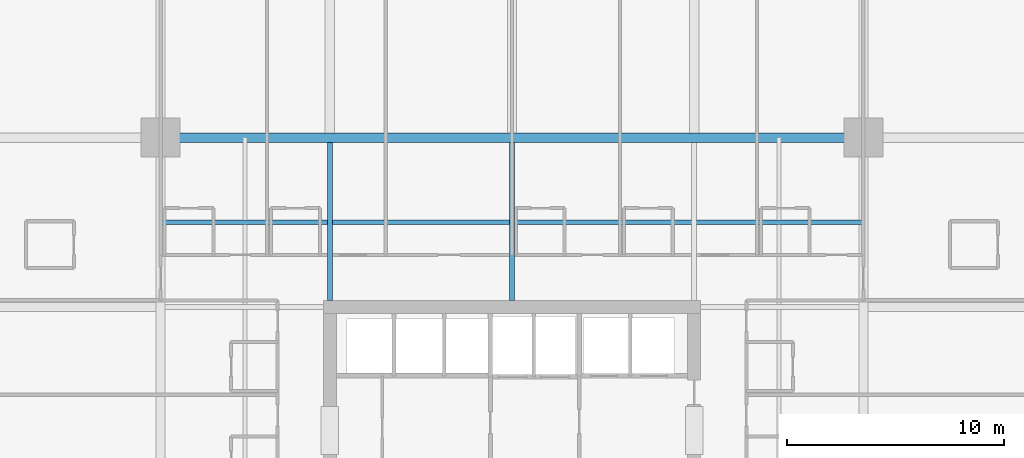
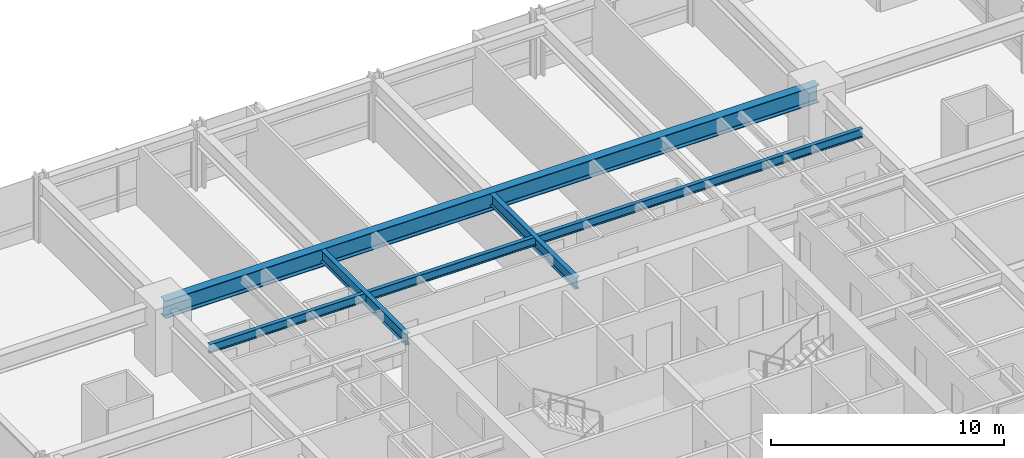
# One storey, part 20 of 39: 4 beams.
"""IFC4 building model written with IfcOpenShell, lengths in metres."""

import ifcopenshell
import ifcopenshell.guid

model = None  # the IFC model being written
_history = None  # IfcOwnerHistory: only IFC2X3 demands one
_inside = {}  # id of a spatial element -> (the spatial element, [elements in it])
_under = {}  # id of a project, library or spatial element -> (it, [spatial elements below it])
_declared = {}  # id of a project -> (the project, [libraries it declares])
_typed = {}  # id of a type object -> (the type object, [elements of that type])
_made_of = {}  # id of a material, layer set ... -> (it, [elements and type objects made of it])


def new_model(schema):
    """Start an empty IFC model of exactly this schema.

    Asked for "IFC4X3", IfcOpenShell would pick the latest addendum, in which some entities
    have other attributes; the version numbers below select the first issue.
    IFC2X3 requires an IfcOwnerHistory on every rooted entity: one is made here for all.
    """
    global model, _history
    if schema == "IFC4X3":
        model = ifcopenshell.file(schema_version=(4, 3, 0, 0))
    else:
        model = ifcopenshell.file(schema=schema)
    _inside.clear()
    _under.clear()
    _declared.clear()
    _typed.clear()
    _made_of.clear()
    _history = None
    if model.schema == "IFC2X3":
        org = make("IfcOrganization", Name="unknown")
        user = make(
            "IfcPersonAndOrganization",
            ThePerson=make("IfcPerson", FamilyName="unknown"),
            TheOrganization=org,
        )
        app = make(
            "IfcApplication",
            ApplicationDeveloper=org,
            Version="unknown",
            ApplicationFullName="unknown",
            ApplicationIdentifier="unknown",
        )
        _history = make(
            "IfcOwnerHistory",
            OwningUser=user,
            OwningApplication=app,
            ChangeAction="ADDED",
            CreationDate=0,
        )
    return model


def make(cls, **values):
    """One entity of the class cls with the attributes given. An attribute that is None is left unset."""
    return model.create_entity(
        cls, **{name: value for name, value in values.items() if value is not None}
    )


def rooted(cls, **values):
    """An entity with a GlobalId (a new one), such as an element, a storey or a relation."""
    return make(cls, GlobalId=ifcopenshell.guid.new(), OwnerHistory=_history, **values)


def si_unit(unit_type, name, prefix=None):
    """IfcSIUnit, for example si_unit("LENGTHUNIT", "METRE", prefix="MILLI")."""
    return make("IfcSIUnit", UnitType=unit_type, Prefix=prefix, Name=name)


def assignment(units):
    """IfcUnitAssignment: the units of a project."""
    return None if units is None else make("IfcUnitAssignment", Units=units)


def point(xyz):
    """IfcCartesianPoint."""
    return None if xyz is None else make("IfcCartesianPoint", Coordinates=xyz)


def direction(xyz):
    """IfcDirection."""
    return None if xyz is None else make("IfcDirection", DirectionRatios=xyz)


def frame(location, z_axis=None, x_axis=None):
    """IfcAxis2Placement3D, a coordinate frame: its origin and axes. An axis left out is left unset."""
    return make(
        "IfcAxis2Placement3D",
        Location=point(location),
        Axis=direction(z_axis),
        RefDirection=direction(x_axis),
    )


def frame_2d(location, x_axis=None):
    """IfcAxis2Placement2D, a coordinate frame in the plane: its origin and x axis."""
    return make(
        "IfcAxis2Placement2D", Location=point(location), RefDirection=direction(x_axis)
    )


def origin():
    """The frame at (0, 0, 0) with its axes left unset."""
    return frame((0.0, 0.0, 0.0))


def origin_2d():
    """The frame at (0, 0) in the plane with its x axis left unset."""
    return frame_2d((0.0, 0.0))


def place(relative_to, where):
    """IfcLocalPlacement: puts the frame where relative to a parent placement (None: the world)."""
    return make(
        "IfcLocalPlacement", PlacementRelTo=relative_to, RelativePlacement=where
    )


def context(
    kind, dimensions, precision=None, world=None, true_north=None, identifier=None
):
    """IfcGeometricRepresentationContext, for example the 3D "Model" context."""
    return make(
        "IfcGeometricRepresentationContext",
        ContextIdentifier=identifier,
        ContextType=kind,
        CoordinateSpaceDimension=dimensions,
        Precision=precision,
        WorldCoordinateSystem=world,
        TrueNorth=true_north,
    )


def subcontext(parent, identifier, kind, view, scale=None):
    """IfcGeometricRepresentationSubContext, for example "Body" below "Model"."""
    return make(
        "IfcGeometricRepresentationSubContext",
        ContextIdentifier=identifier,
        ContextType=kind,
        ParentContext=parent,
        TargetScale=scale,
        TargetView=view,
    )


def project(units=None, contexts=None):
    """IfcProject with its units and contexts."""
    return rooted(
        "IfcProject",
        Name="project",
        RepresentationContexts=contexts,
        UnitsInContext=assignment(units),
    )


def spatial(cls, under=None, at=None, **own):
    """A site, building, storey or space (cls), placed at a placement, below another one or the project."""
    s = rooted(cls, ObjectPlacement=at, **own)
    if under is not None:
        _under.setdefault(under.id(), (under, []))[1].append(s)
    return s


def profile(cls, at=None, kind="AREA", **sizes):
    """A parametric profile (cls). Its sizes go by their IFC names, for example OverallWidth=200.0."""
    return make(cls, ProfileType=kind, Position=at, **sizes)


def i_section(**sizes):
    """IfcIShapeProfileDef."""
    return profile("IfcIShapeProfileDef", **sizes)


def extrude(swept, where, along, depth):
    """IfcExtrudedAreaSolid: the profile swept, set in the frame where, extruded along a direction by depth."""
    return make(
        "IfcExtrudedAreaSolid",
        SweptArea=swept,
        Position=where,
        ExtrudedDirection=direction(along),
        Depth=depth,
    )


def shape(context_of_items, identifier, shape_type, items):
    """IfcShapeRepresentation: the items that make up one representation, for example the "Body"."""
    return make(
        "IfcShapeRepresentation",
        ContextOfItems=context_of_items,
        RepresentationIdentifier=identifier,
        RepresentationType=shape_type,
        Items=items,
    )


def material(Name=None, Category=None):
    """IfcMaterial."""
    return make("IfcMaterial", Name=Name, Category=Category)


def material_profile(
    of_material, cross_section, Name=None, Category=None, Priority=None
):
    """IfcMaterialProfile: a cross section and its material."""
    return make(
        "IfcMaterialProfile",
        Name=Name,
        Material=of_material,
        Profile=cross_section,
        Priority=Priority,
        Category=Category,
    )


def profile_set(profiles, Name=None, composite=None):
    """IfcMaterialProfileSet."""
    return make(
        "IfcMaterialProfileSet",
        Name=Name,
        MaterialProfiles=profiles,
        CompositeProfile=composite,
    )


def made_of(thing, what):
    """Note that an element or type object is made of a material, layer set ...; save() writes the relation."""
    if what is not None:
        _made_of.setdefault(what.id(), (what, []))[1].append(thing)
    return thing


def type_object(cls, material=None, **own):
    """A type object (cls), such as IfcWallType, which elements share."""
    return made_of(rooted(cls, **own), material)


def element(
    cls,
    number,
    at=None,
    inside=None,
    cuts=None,
    type_object=None,
    material=None,
    context=None,
    identifier="Body",
    shape_type=None,
    held_by="IfcProductDefinitionShape",
    body=None,
    shapes=None,
    **own,
):
    """One element of the class cls, such as IfcWall. Its Tag is "e" and its number.

    at: its placement. inside: the storey or other place that contains it. cuts: it is an
    opening in that element (IfcRelVoidsElement). A single representation is given by context,
    identifier, shape_type and body (its items); several are given by shapes. held_by: the class
    of the entity that holds the representations. save() writes the other relations.
    """
    e = rooted(cls, Tag="e%d" % number, ObjectPlacement=at, **own)
    if body is not None:
        shapes = [shape(context, identifier, shape_type, body)]
    if shapes is not None:
        e.Representation = make(held_by, Representations=shapes)
    if inside is not None:
        _inside.setdefault(inside.id(), (inside, []))[1].append(e)
    if cuts is not None:
        rooted(
            "IfcRelVoidsElement", RelatingBuildingElement=cuts, RelatedOpeningElement=e
        )
    if type_object is not None:
        _typed.setdefault(type_object.id(), (type_object, []))[1].append(e)
    return made_of(e, material)


def aggregate(whole, parts):
    """IfcRelAggregates: a whole, such as a stair, and the parts it consists of."""
    return rooted("IfcRelAggregates", RelatingObject=whole, RelatedObjects=parts)


def save(model, path):
    """Write the relations noted so far, then the file.

    IfcRelAggregates (storeys below a building ...), IfcRelContainedInSpatialStructure (elements
    in a storey), IfcRelDefinesByType, IfcRelAssociatesMaterial and IfcRelDeclares: one each for
    every whole, place, type object, material and project.
    """
    for whole, parts in _under.values():
        aggregate(whole, parts)
    for where, things in _inside.values():
        rooted(
            "IfcRelContainedInSpatialStructure",
            RelatedElements=things,
            RelatingStructure=where,
        )
    for kind, things in _typed.values():
        rooted("IfcRelDefinesByType", RelatedObjects=things, RelatingType=kind)
    for what, things in _made_of.values():
        rooted("IfcRelAssociatesMaterial", RelatedObjects=things, RelatingMaterial=what)
    for by, libraries in _declared.values():
        rooted("IfcRelDeclares", RelatingContext=by, RelatedDefinitions=libraries)
    model.write(path)


model = new_model("IFC4")

# Units and contexts
model_context = context("Model", 3, precision=1e-05, world=origin(), true_north=direction((0.0, 1.0)))
body_context = subcontext(model_context, "Body", "Model", "MODEL_VIEW")
ifc_project = project(units=[si_unit("LENGTHUNIT", "METRE"), si_unit("AREAUNIT", "SQUARE_METRE"), si_unit("VOLUMEUNIT", "CUBIC_METRE"), si_unit("PLANEANGLEUNIT", "RADIAN"), si_unit("MASSUNIT", "GRAM", prefix="KILO")], contexts=[model_context])

# Site, building, storey
site_placement = place(None, origin())
site = spatial("IfcSite", under=ifc_project, at=site_placement, CompositionType="ELEMENT")
building_placement = place(site_placement, origin())
building = spatial("IfcBuilding", under=site, at=building_placement, Name="Drelvath Grand Hotel", CompositionType="ELEMENT")
storey_placement = place(building_placement, frame((0.0, 0.0, 36.699951171875)))
storey = spatial("IfcBuildingStorey", under=building, at=storey_placement, Name="L07", CompositionType="ELEMENT", Elevation=36.699951171875)

# Beams
ifc_material = material(Name="Steel ASTM A992 Gr 50", Category="steel")
ifc_material_profile_1 = material_profile(ifc_material, i_section(OverallWidth=0.19140625, OverallDepth=0.4599609375, WebThickness=0.010009765625, FlangeThickness=0.01611328125, FilletRadius=0.01611328125, at=origin_2d()), Name="W18X55")
ifc_profile_set_1 = profile_set([ifc_material_profile_1], Name="Steel ASTM A992 Gr 50")
beam_type_1 = type_object("IfcBeamType", Name="Composite Floor Joist W18X55", PredefinedType="JOIST", material=ifc_profile_set_1)
beam_1_placement = place(storey_placement, frame((-16.199951171875, 39.300048828125, 3.010009765625), z_axis=(1.0, 0.0, 0.0), x_axis=(0.0, 1.0, 0.0)))
element("IfcBeam", 1, at=beam_1_placement, inside=storey, type_object=beam_type_1, Name="L07 Floor Joist J2", PredefinedType="JOIST", context=body_context, shape_type="SweptSolid", body=[
    extrude(i_section(OverallWidth=0.19140625, OverallDepth=0.4599609375, WebThickness=0.010009765625, FlangeThickness=0.01611328125, FilletRadius=0.01611328125, at=origin_2d()), origin(), (0.0, 0.0, 1.0), 32.39990234375),
])
ifc_material_profile_2 = material_profile(ifc_material, i_section(OverallWidth=0.228271484375, OverallDepth=0.607666015625, WebThickness=0.01123046875, FlangeThickness=0.017333984375, FilletRadius=0.02001953125, at=origin_2d()), Name="W24X76")
ifc_profile_set_2 = profile_set([ifc_material_profile_2], Name="Steel ASTM A992 Gr 50")
beam_type_2 = type_object("IfcBeamType", Name="Primary Floor Girder W24X76", PredefinedType="BEAM", material=ifc_profile_set_2)
for number, where, z_axis, x_axis, name in (
    (2, (-8.39990234375, 35.699951171875, 2.936279296875), (0.0, 1.0, 0.0), (-1.0, 0.0, 0.0), "L07 North Core Tie 4"),
    (3, (0.0, 35.699951171875, 2.936279296875), (0.0, 1.0, 0.0), (-1.0, 0.0, 0.0), "L07 North Core Tie 5"),
):
    element("IfcBeam", number, at=place(storey_placement, frame(where, z_axis=z_axis, x_axis=x_axis)), inside=storey, type_object=beam_type_2, Name=name, PredefinedType="BEAM", context=body_context, shape_type="SweptSolid", body=[
        extrude(i_section(OverallWidth=0.228271484375, OverallDepth=0.607666015625, WebThickness=0.01123046875, FlangeThickness=0.017333984375, FilletRadius=0.02001953125, at=origin_2d()), origin(), (0.0, 0.0, 1.0), 7.290771484375),
    ])
ifc_material_profile_3 = material_profile(ifc_material, i_section(OverallWidth=0.418212890625, OverallDepth=0.926513671875, WebThickness=0.019287109375, FlangeThickness=0.031982421875, FilletRadius=0.028076171875, at=origin_2d()), Name="W36X231")
ifc_profile_set_3 = profile_set([ifc_material_profile_3], Name="Steel ASTM A992 Gr 50")
beam_type_3 = type_object("IfcBeamType", Name="Primary Floor Girder W36X231", PredefinedType="BEAM", material=ifc_profile_set_3)
beam_2_placement = place(storey_placement, frame((-16.199951171875, 43.199951171875, 2.77685546875), z_axis=(1.0, 0.0, 0.0), x_axis=(0.0, 1.0, 0.0)))
element("IfcBeam", 4, at=beam_2_placement, inside=storey, type_object=beam_type_3, Name="L07 Mega Ring Girder North", PredefinedType="BEAM", context=body_context, shape_type="SweptSolid", body=[
    extrude(i_section(OverallWidth=0.418212890625, OverallDepth=0.926513671875, WebThickness=0.019287109375, FlangeThickness=0.031982421875, FilletRadius=0.028076171875, at=origin_2d()), origin(), (0.0, 0.0, 1.0), 32.39990234375),
])

save(model, "model.ifc")
